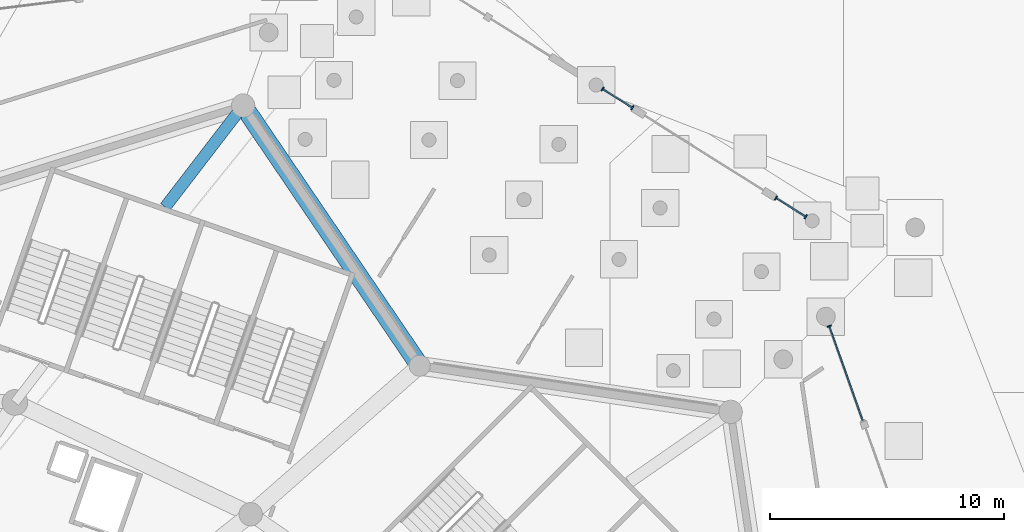
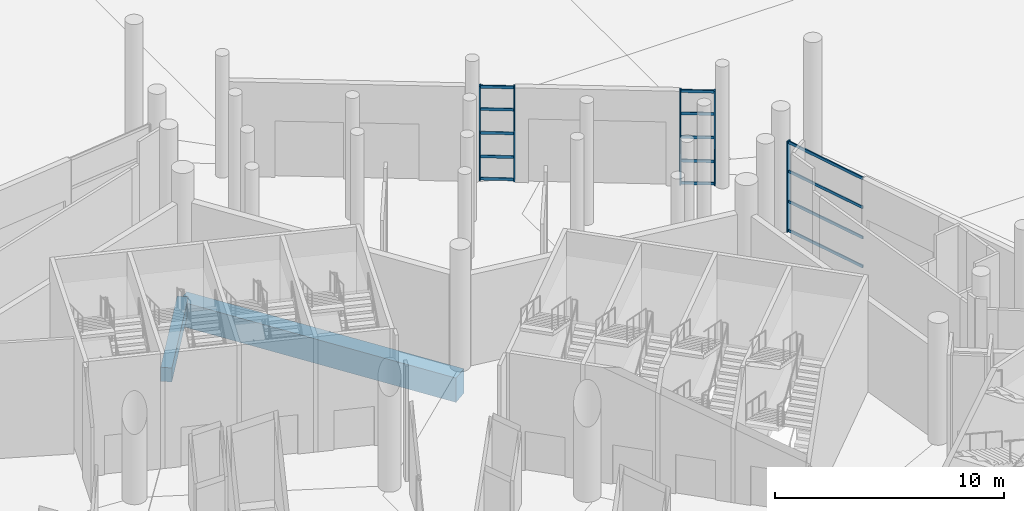
# One storey, part 66 of 255: 19 members, 2 beams, 3 elements without a shape of their own.
"""IFC4 building model written with IfcOpenShell, lengths in metres."""

from ifc_helpers import new_model, si_unit, direction, frame, origin, origin_2d, place, context, subcontext, project, spatial, rectangle, extrude, material, layer, layer_set, material_profile, profile_set, type_object, element, aggregate, save


model = new_model("IFC4")

# Units and contexts
model_context = context("Model", 3, precision=1e-05, world=origin(), true_north=direction((0.0, 1.0)))
body_context = subcontext(model_context, "Body", "Model", "MODEL_VIEW")
ifc_project = project(units=[si_unit("LENGTHUNIT", "METRE"), si_unit("AREAUNIT", "SQUARE_METRE"), si_unit("VOLUMEUNIT", "CUBIC_METRE"), si_unit("PLANEANGLEUNIT", "RADIAN"), si_unit("MASSUNIT", "GRAM", prefix="KILO")], contexts=[model_context])

# Site, building, storey
site_placement = place(None, origin())
site = spatial("IfcSite", under=ifc_project, at=site_placement, CompositionType="ELEMENT")
building_placement = place(site_placement, origin())
building = spatial("IfcBuilding", under=site, at=building_placement, Name="Meseta Stadium", CompositionType="ELEMENT")
storey_placement = place(building_placement, origin())
storey = spatial("IfcBuildingStorey", under=building, at=storey_placement, Name="L00", CompositionType="ELEMENT", Elevation=0.0)

# Beams
ifc_material_1 = material(Name="Concrete C40/50", Category="concrete")
ifc_material_profile_1 = material_profile(ifc_material_1, rectangle(XDim=0.5, YDim=0.75, at=origin_2d()), Name="RC 500x750")
ifc_profile_set_1 = profile_set([ifc_material_profile_1], Name="Concrete C40/50")
beam_type_1 = type_object("IfcBeamType", Name="RC beam 500x750", PredefinedType="BEAM", material=ifc_profile_set_1)
beam_1_placement = place(storey_placement, frame((60.95947265625, 97.949951171875, -0.77490234375), z_axis=(0.609579324643, 0.792725076536, 0.0), x_axis=(-0.792725076536, 0.609579324643, 0.0)))
element("IfcBeam", 1, at=beam_1_placement, inside=storey, type_object=beam_type_1, Name="L00 radial beam frame 14 line P to R", PredefinedType="BEAM", context=body_context, shape_type="SweptSolid", body=[
    extrude(rectangle(XDim=0.5, YDim=0.75, at=origin_2d()), origin(), (0.0, 0.0, 1.0), 5.47607421875),
])
ifc_material_2 = material(Name="Concrete C40/50", Category="concrete")
ifc_material_profile_2 = material_profile(ifc_material_2, rectangle(XDim=0.800048828125, YDim=1.300048828125, at=origin_2d()), Name="RC 800x1300")
ifc_profile_set_2 = profile_set([ifc_material_profile_2], Name="Concrete C40/50")
beam_type_2 = type_object("IfcBeamType", Name="RC beam 800x1300", PredefinedType="BEAM", material=ifc_profile_set_2)
beam_2_placement = place(storey_placement, frame((71.856689453125, 91.15087890625, -1.050048828125), z_axis=(-0.561486340317, 0.827486005705, 0.0), x_axis=(-0.827486005705, -0.561486340317, 0.0)))
element("IfcBeam", 2, at=beam_2_placement, inside=storey, type_object=beam_type_2, Name="L00 ring beam frame 13 line R", PredefinedType="BEAM", context=body_context, shape_type="SweptSolid", body=[
    extrude(rectangle(XDim=0.800048828125, YDim=1.300048828125, at=origin_2d()), origin(), (0.0, 0.0, 1.0), 13.462646484375),
])

# Curtain wall, member
ifc_material_3 = material(Name="Aluminium", Category="aluminium")
ifc_layer_1 = layer(ifc_material_3, 0.199951171875)
ifc_layer_set_1 = layer_set([ifc_layer_1], Name="Ring shopfront curtain wall")
curtain_wall_type_1 = type_object("IfcCurtainWallType", Name="Ring shopfront curtain wall", PredefinedType="NOTDEFINED", material=ifc_layer_set_1)
curtain_wall_1_placement = place(storey_placement, origin())
curtain_wall_1 = element("IfcCurtainWall", 3, at=curtain_wall_1_placement, inside=storey, type_object=curtain_wall_type_1, Name="Shopfront glazing F11b", PredefinedType="NOTDEFINED")
ifc_material_4 = material(Name="Aluminium", Category="aluminium")
ifc_material_profile_3 = material_profile(ifc_material_4, rectangle(XDim=0.199951171875, YDim=0.06005859375, at=origin_2d()), Name="CW 200x60")
ifc_profile_set_3 = profile_set([ifc_material_profile_3], Name="Aluminium")
member_type_1 = type_object("IfcMemberType", Name="Ring CW mullion 60x200", PredefinedType="MULLION", material=ifc_profile_set_3)
member_1_placement = place(storey_placement, frame((89.39892578125, 92.849609375, 0.0), z_axis=(0.0, 0.0, 1.0), x_axis=(-0.942282835912, -0.334817946273, 0.0)))
member_1 = element("IfcMember", 4, at=member_1_placement, type_object=member_type_1, Name="CWR1 mullion 2", PredefinedType="MULLION", context=body_context, shape_type="SweptSolid", body=[
    extrude(rectangle(XDim=0.199951171875, YDim=0.06005859375, at=origin_2d()), origin(), (0.0, 0.0, 1.0), 4.85009765625),
])

# Curtain wall, members
ifc_material_5 = material(Name="Aluminium", Category="aluminium")
ifc_layer_2 = layer(ifc_material_5, 0.199951171875)
ifc_layer_set_2 = layer_set([ifc_layer_2], Name="Gate hall curtain wall")
curtain_wall_type_2 = type_object("IfcCurtainWallType", Name="Gate hall curtain wall", PredefinedType="NOTDEFINED", material=ifc_layer_set_2)
curtain_wall_2_placement = place(storey_placement, origin())
curtain_wall_2 = element("IfcCurtainWall", 5, at=curtain_wall_2_placement, inside=storey, type_object=curtain_wall_type_2, Name="Gate 2 glazing", PredefinedType="NOTDEFINED")
member_2_placement = place(storey_placement, frame((88.389892578125, 97.53271484375, 0.0), z_axis=(0.0, 0.0, 1.0), x_axis=(-0.532022531189, -0.846730196879, 0.0)))
member_2 = element("IfcMember", 6, at=member_2_placement, type_object=member_type_1, Name="CWG1 mullion 1", PredefinedType="MULLION", context=body_context, shape_type="SweptSolid", body=[
    extrude(rectangle(XDim=0.199951171875, YDim=0.06005859375, at=origin_2d()), origin(), (0.0, 0.0, 1.0), 5.050048828125),
])
member_3_placement = place(storey_placement, frame((87.114013671875, 98.33447265625, 0.0), z_axis=(0.0, 0.0, 1.0), x_axis=(-0.532022531189, -0.846730196879, 0.0)))
member_3 = element("IfcMember", 7, at=member_3_placement, type_object=member_type_1, Name="CWG1 mullion 2", PredefinedType="MULLION", context=body_context, shape_type="SweptSolid", body=[
    extrude(rectangle(XDim=0.199951171875, YDim=0.06005859375, at=origin_2d()), origin(), (0.0, 0.0, 1.0), 5.050048828125),
])

curtain_wall_3_placement = place(storey_placement, origin())
curtain_wall_3 = element("IfcCurtainWall", 8, at=curtain_wall_3_placement, inside=storey, type_object=curtain_wall_type_2, Name="Gate 2 glazing", PredefinedType="NOTDEFINED")
member_4_placement = place(storey_placement, frame((80.966796875, 102.197021484375, 0.0), z_axis=(0.0, 0.0, 1.0), x_axis=(-0.532022531189, -0.846730196879, 0.0)))
member_4 = element("IfcMember", 9, at=member_4_placement, type_object=member_type_1, Name="CWG1 mullion 1", PredefinedType="MULLION", context=body_context, shape_type="SweptSolid", body=[
    extrude(rectangle(XDim=0.199951171875, YDim=0.06005859375, at=origin_2d()), origin(), (0.0, 0.0, 1.0), 5.050048828125),
])
member_5_placement = place(storey_placement, frame((79.69091796875, 102.998779296875, 0.0), z_axis=(0.0, 0.0, 1.0), x_axis=(-0.532022531189, -0.846730196879, 0.0)))
member_5 = element("IfcMember", 10, at=member_5_placement, type_object=member_type_1, Name="CWG1 mullion 2", PredefinedType="MULLION", context=body_context, shape_type="SweptSolid", body=[
    extrude(rectangle(XDim=0.199951171875, YDim=0.06005859375, at=origin_2d()), origin(), (0.0, 0.0, 1.0), 5.050048828125),
])

# Member
ifc_material_6 = material(Name="Aluminium", Category="aluminium")
ifc_material_profile_4 = material_profile(ifc_material_6, rectangle(XDim=0.06005859375, YDim=0.14990234375, at=origin_2d()), Name="CW 60x150")
ifc_profile_set_4 = profile_set([ifc_material_profile_4], Name="Aluminium")
member_type_2 = type_object("IfcMemberType", Name="Ring CW transom 60x150", PredefinedType="USERDEFINED", material=ifc_profile_set_4)
member_6_placement = place(storey_placement, frame((90.8330078125, 88.8134765625, 0.074951171875), z_axis=(-0.334816019457, 0.942283520558, 0.0), x_axis=(-0.942283520558, -0.334816019457, 0.0)))
member_6 = element("IfcMember", 11, at=member_6_placement, type_object=member_type_2, Name="CWR1 transom 1.1", ObjectType="TRANSOM", PredefinedType="USERDEFINED", context=body_context, shape_type="SweptSolid", body=[
    extrude(rectangle(XDim=0.06005859375, YDim=0.14990234375, at=origin_2d()), origin(), (0.0, 0.0, 1.0), 4.25341796875),
])

member_7_placement = place(storey_placement, frame((90.8330078125, 88.8134765625, 1.61669921875), z_axis=(-0.334816019457, 0.942283520558, 0.0), x_axis=(-0.942283520558, -0.334816019457, 0.0)))
member_7 = element("IfcMember", 12, at=member_7_placement, type_object=member_type_2, Name="CWR1 transom 1.2", ObjectType="TRANSOM", PredefinedType="USERDEFINED", context=body_context, shape_type="SweptSolid", body=[
    extrude(rectangle(XDim=0.06005859375, YDim=0.14990234375, at=origin_2d()), origin(), (0.0, 0.0, 1.0), 4.25341796875),
])

member_8_placement = place(storey_placement, frame((90.8330078125, 88.8134765625, 3.2333984375), z_axis=(-0.334816019457, 0.942283520558, 0.0), x_axis=(-0.942283520558, -0.334816019457, 0.0)))
member_8 = element("IfcMember", 13, at=member_8_placement, type_object=member_type_2, Name="CWR1 transom 1.3", ObjectType="TRANSOM", PredefinedType="USERDEFINED", context=body_context, shape_type="SweptSolid", body=[
    extrude(rectangle(XDim=0.06005859375, YDim=0.14990234375, at=origin_2d()), origin(), (0.0, 0.0, 1.0), 4.25341796875),
])

member_9_placement = place(storey_placement, frame((90.8330078125, 88.8134765625, 4.77490234375), z_axis=(-0.334816019457, 0.942283520558, 0.0), x_axis=(-0.942283520558, -0.334816019457, 0.0)))
member_9 = element("IfcMember", 14, at=member_9_placement, type_object=member_type_2, Name="CWR1 transom 1.4", ObjectType="TRANSOM", PredefinedType="USERDEFINED", context=body_context, shape_type="SweptSolid", body=[
    extrude(rectangle(XDim=0.06005859375, YDim=0.14990234375, at=origin_2d()), origin(), (0.0, 0.0, 1.0), 4.25341796875),
])

aggregate(curtain_wall_1, [member_1, member_6, member_7, member_8, member_9])

member_10_placement = place(storey_placement, frame((88.364501953125, 97.548828125, 0.074951171875), z_axis=(-0.846801607766, 0.531908861634, 0.0), x_axis=(-0.531908861634, -0.846801607766, 0.0)))
member_10 = element("IfcMember", 15, at=member_10_placement, type_object=member_type_2, Name="CWG1 transom 1.1", ObjectType="TRANSOM", PredefinedType="USERDEFINED", context=body_context, shape_type="SweptSolid", body=[
    extrude(rectangle(XDim=0.06005859375, YDim=0.14990234375, at=origin_2d()), origin(), (0.0, 0.0, 1.0), 1.44677734375),
])

member_11_placement = place(storey_placement, frame((88.364501953125, 97.548828125, 1.262451171875), z_axis=(-0.846801607766, 0.531908861634, 0.0), x_axis=(-0.531908861634, -0.846801607766, 0.0)))
member_11 = element("IfcMember", 16, at=member_11_placement, type_object=member_type_2, Name="CWG1 transom 1.2", ObjectType="TRANSOM", PredefinedType="USERDEFINED", context=body_context, shape_type="SweptSolid", body=[
    extrude(rectangle(XDim=0.06005859375, YDim=0.14990234375, at=origin_2d()), origin(), (0.0, 0.0, 1.0), 1.44677734375),
])

member_12_placement = place(storey_placement, frame((88.364501953125, 97.548828125, 2.52490234375), z_axis=(-0.846801607766, 0.531908861634, 0.0), x_axis=(-0.531908861634, -0.846801607766, 0.0)))
member_12 = element("IfcMember", 17, at=member_12_placement, type_object=member_type_2, Name="CWG1 transom 1.3", ObjectType="TRANSOM", PredefinedType="USERDEFINED", context=body_context, shape_type="SweptSolid", body=[
    extrude(rectangle(XDim=0.06005859375, YDim=0.14990234375, at=origin_2d()), origin(), (0.0, 0.0, 1.0), 1.44677734375),
])

member_13_placement = place(storey_placement, frame((88.364501953125, 97.548828125, 3.78759765625), z_axis=(-0.846801607766, 0.531908861634, 0.0), x_axis=(-0.531908861634, -0.846801607766, 0.0)))
member_13 = element("IfcMember", 18, at=member_13_placement, type_object=member_type_2, Name="CWG1 transom 1.4", ObjectType="TRANSOM", PredefinedType="USERDEFINED", context=body_context, shape_type="SweptSolid", body=[
    extrude(rectangle(XDim=0.06005859375, YDim=0.14990234375, at=origin_2d()), origin(), (0.0, 0.0, 1.0), 1.44677734375),
])

member_14_placement = place(storey_placement, frame((88.364501953125, 97.548828125, 4.97509765625), z_axis=(-0.846801607766, 0.531908861634, 0.0), x_axis=(-0.531908861634, -0.846801607766, 0.0)))
member_14 = element("IfcMember", 19, at=member_14_placement, type_object=member_type_2, Name="CWG1 transom 1.5", ObjectType="TRANSOM", PredefinedType="USERDEFINED", context=body_context, shape_type="SweptSolid", body=[
    extrude(rectangle(XDim=0.06005859375, YDim=0.14990234375, at=origin_2d()), origin(), (0.0, 0.0, 1.0), 1.44677734375),
])

aggregate(curtain_wall_2, [member_2, member_3, member_10, member_11, member_12, member_13, member_14])

member_15_placement = place(storey_placement, frame((80.94140625, 102.213134765625, 0.074951171875), z_axis=(-0.846801607766, 0.531908861634, 0.0), x_axis=(-0.531908861634, -0.846801607766, 0.0)))
member_15 = element("IfcMember", 20, at=member_15_placement, type_object=member_type_2, Name="CWG1 transom 1.1", ObjectType="TRANSOM", PredefinedType="USERDEFINED", context=body_context, shape_type="SweptSolid", body=[
    extrude(rectangle(XDim=0.06005859375, YDim=0.14990234375, at=origin_2d()), origin(), (0.0, 0.0, 1.0), 1.44677734375),
])

member_16_placement = place(storey_placement, frame((80.94140625, 102.213134765625, 1.262451171875), z_axis=(-0.846801607766, 0.531908861634, 0.0), x_axis=(-0.531908861634, -0.846801607766, 0.0)))
member_16 = element("IfcMember", 21, at=member_16_placement, type_object=member_type_2, Name="CWG1 transom 1.2", ObjectType="TRANSOM", PredefinedType="USERDEFINED", context=body_context, shape_type="SweptSolid", body=[
    extrude(rectangle(XDim=0.06005859375, YDim=0.14990234375, at=origin_2d()), origin(), (0.0, 0.0, 1.0), 1.44677734375),
])

member_17_placement = place(storey_placement, frame((80.94140625, 102.213134765625, 2.52490234375), z_axis=(-0.846801607766, 0.531908861634, 0.0), x_axis=(-0.531908861634, -0.846801607766, 0.0)))
member_17 = element("IfcMember", 22, at=member_17_placement, type_object=member_type_2, Name="CWG1 transom 1.3", ObjectType="TRANSOM", PredefinedType="USERDEFINED", context=body_context, shape_type="SweptSolid", body=[
    extrude(rectangle(XDim=0.06005859375, YDim=0.14990234375, at=origin_2d()), origin(), (0.0, 0.0, 1.0), 1.44677734375),
])

member_18_placement = place(storey_placement, frame((80.94140625, 102.213134765625, 3.78759765625), z_axis=(-0.846801607766, 0.531908861634, 0.0), x_axis=(-0.531908861634, -0.846801607766, 0.0)))
member_18 = element("IfcMember", 23, at=member_18_placement, type_object=member_type_2, Name="CWG1 transom 1.4", ObjectType="TRANSOM", PredefinedType="USERDEFINED", context=body_context, shape_type="SweptSolid", body=[
    extrude(rectangle(XDim=0.06005859375, YDim=0.14990234375, at=origin_2d()), origin(), (0.0, 0.0, 1.0), 1.44677734375),
])

member_19_placement = place(storey_placement, frame((80.94140625, 102.213134765625, 4.97509765625), z_axis=(-0.846801607766, 0.531908861634, 0.0), x_axis=(-0.531908861634, -0.846801607766, 0.0)))
member_19 = element("IfcMember", 24, at=member_19_placement, type_object=member_type_2, Name="CWG1 transom 1.5", ObjectType="TRANSOM", PredefinedType="USERDEFINED", context=body_context, shape_type="SweptSolid", body=[
    extrude(rectangle(XDim=0.06005859375, YDim=0.14990234375, at=origin_2d()), origin(), (0.0, 0.0, 1.0), 1.44677734375),
])

aggregate(curtain_wall_3, [member_4, member_5, member_15, member_16, member_17, member_18, member_19])

save(model, "model.ifc")
